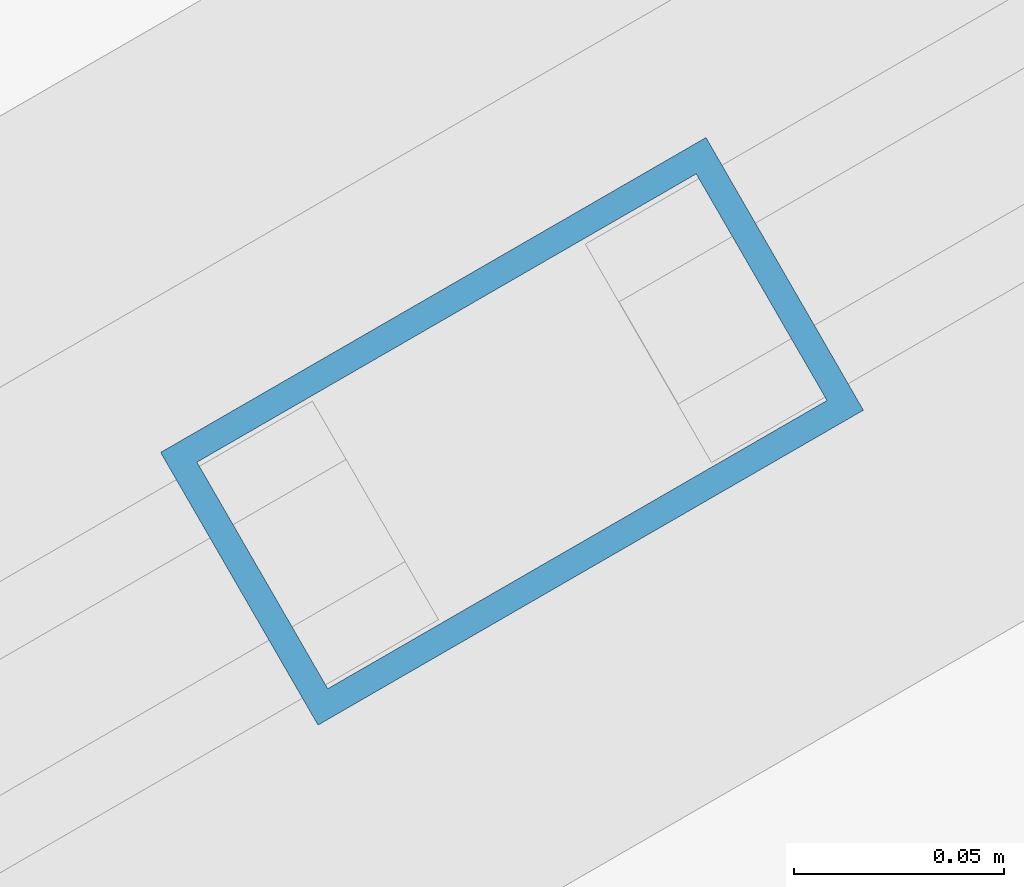
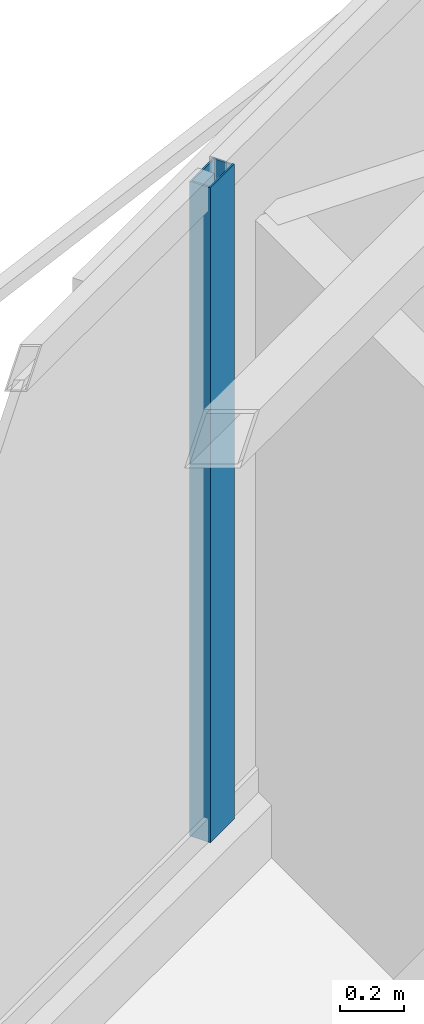
# One storey, part 10 of 22: 1 member, 1 element without a shape of its own.
"""IFC4 building model written with IfcOpenShell, lengths in metres."""

from ifc_helpers import new_model, si_unit, direction, frame, origin, origin_2d, place, context, subcontext, project, spatial, hollow_rectangle, extrude, material, layer, layer_set, material_profile, profile_set, type_object, element, aggregate, save


model = new_model("IFC4")

# Units and contexts
model_context = context("Model", 3, precision=1e-05, world=origin(), true_north=direction((0.0, 1.0)))
body_context = subcontext(model_context, "Body", "Model", "MODEL_VIEW")
ifc_project = project(units=[si_unit("LENGTHUNIT", "METRE"), si_unit("AREAUNIT", "SQUARE_METRE"), si_unit("VOLUMEUNIT", "CUBIC_METRE"), si_unit("PLANEANGLEUNIT", "RADIAN"), si_unit("MASSUNIT", "GRAM", prefix="KILO")], contexts=[model_context])

# Site, building, storey
site_placement = place(None, origin())
site = spatial("IfcSite", under=ifc_project, at=site_placement, CompositionType="ELEMENT")
building_placement = place(site_placement, origin())
building = spatial("IfcBuilding", under=site, at=building_placement, Name="Mersakhor Tower and Convention Hall", CompositionType="ELEMENT")
storey_placement = place(building_placement, frame((0.0, 0.0, 192.0)))
storey = spatial("IfcBuildingStorey", under=building, at=storey_placement, Name="L53", CompositionType="ELEMENT", Elevation=192.0)

# Curtain wall, member
ifc_material_1 = material(Name="Dark solar low-E aluminium curtain wall", Category="aluminium")
ifc_layer = layer(ifc_material_1, 0.169921875)
ifc_layer_set = layer_set([ifc_layer], Name="Dark solar low-E aluminium curtain wall")
curtain_wall_type = type_object("IfcCurtainWallType", Name="CW-SYS-02", PredefinedType="USERDEFINED", material=ifc_layer_set)
curtain_wall_placement = place(storey_placement, origin())
curtain_wall = element("IfcCurtainWall", 1, at=curtain_wall_placement, inside=storey, type_object=curtain_wall_type, Name="L53 Dark-Glass Curtain Wall F1-B2", ObjectType="CURTAIN WALL", PredefinedType="USERDEFINED")
ifc_material_2 = material(Name="Anodised aluminium EN AW-6063 T6", Category="aluminium")
ifc_material_profile = material_profile(ifc_material_2, hollow_rectangle(XDim=0.074951171875, YDim=0.14990234375, WallThickness=0.00634765625, at=origin_2d()), Name="RHS 150x75x6.3")
ifc_profile_set = profile_set([ifc_material_profile], Name="Anodised aluminium EN AW-6063 T6")
member_type = type_object("IfcMemberType", Name="CWM-150x75", PredefinedType="MULLION", material=ifc_profile_set)
member_placement = place(storey_placement, frame((24.504638671875, 37.535888671875, 0.199951171875), z_axis=(0.0, 0.0, 1.0), x_axis=(-0.500007824483, 0.86602088627, 0.0)))
member = element("IfcMember", 2, at=member_placement, type_object=member_type, Name="CW-02 mullion 3", PredefinedType="MULLION", context=body_context, shape_type="SweptSolid", body=[
    extrude(hollow_rectangle(XDim=0.074951171875, YDim=0.14990234375, WallThickness=0.00634765625, at=origin_2d()), origin(), (0.0, 0.0, 1.0), 2.489990234375),
])
aggregate(curtain_wall, [member])

save(model, "model.ifc")
